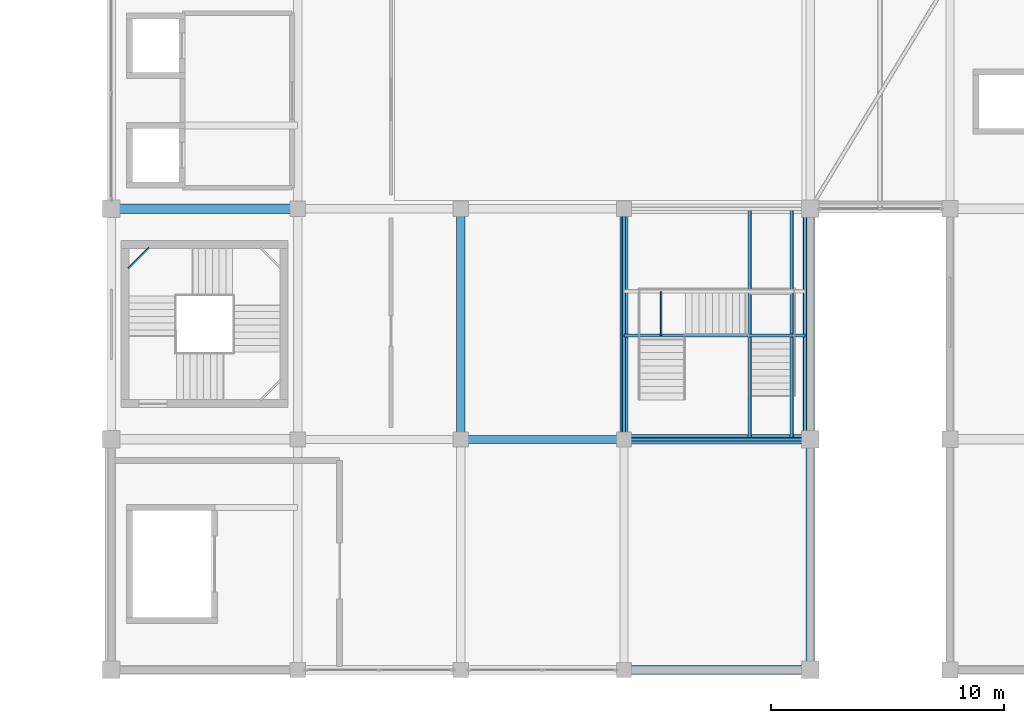
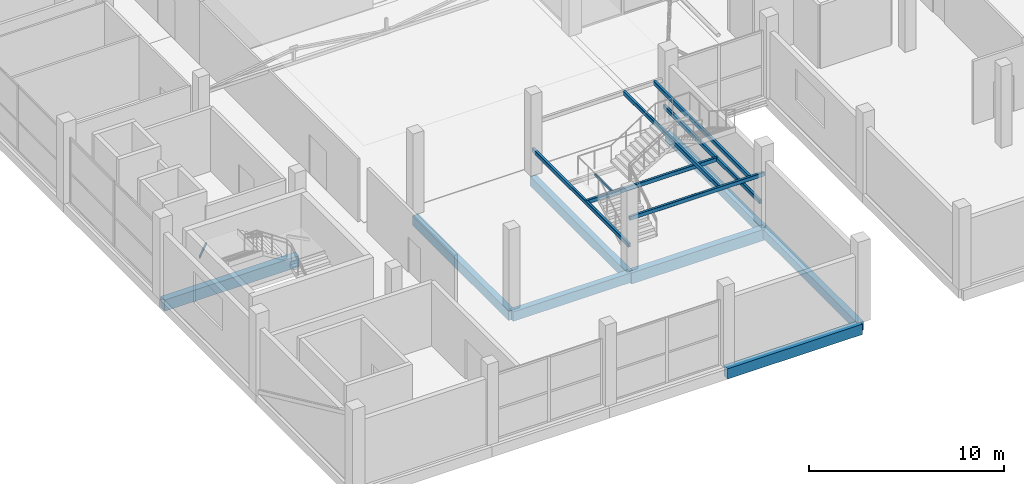
# One storey, part 5 of 67: 16 beams.
"""IFC4 building model written with IfcOpenShell, lengths in metres."""

from ifc_helpers import new_model, si_unit, direction, frame, origin, origin_2d, place, context, subcontext, project, spatial, rectangle, hollow_rectangle, extrude, material, material_profile, profile_set, type_object, element, save


model = new_model("IFC4")

# Units and contexts
model_context = context("Model", 3, precision=1e-05, world=origin(), true_north=direction((0.0, 1.0)))
body_context = subcontext(model_context, "Body", "Model", "MODEL_VIEW")
ifc_project = project(units=[si_unit("LENGTHUNIT", "METRE"), si_unit("AREAUNIT", "SQUARE_METRE"), si_unit("VOLUMEUNIT", "CUBIC_METRE"), si_unit("PLANEANGLEUNIT", "RADIAN"), si_unit("MASSUNIT", "GRAM", prefix="KILO")], contexts=[model_context])

# Site, building, storey
site_placement = place(None, origin())
site = spatial("IfcSite", under=ifc_project, at=site_placement, CompositionType="ELEMENT")
building_placement = place(site_placement, origin())
building = spatial("IfcBuilding", under=site, at=building_placement, Name="Sillaruma Civic Art Gallery", CompositionType="ELEMENT")
storey_placement = place(building_placement, frame((0.0, 0.0, 46.919921875)))
storey = spatial("IfcBuildingStorey", under=building, at=storey_placement, Name="L09", CompositionType="ELEMENT", Elevation=46.919921875)

# Beams
ifc_material_1 = material(Name="Concrete H35 (35 MPa)", Category="concrete")
ifc_material_profile_1 = material_profile(ifc_material_1, rectangle(XDim=0.35009765625, YDim=0.60009765625, at=origin_2d()), Name="RCB350x600")
ifc_profile_set_1 = profile_set([ifc_material_profile_1], Name="Concrete H35 (35 MPa)")
beam_type_1 = type_object("IfcBeamType", Name="BM-BEAM-RCB350x600", PredefinedType="BEAM", material=ifc_profile_set_1)
beam_1_placement = place(storey_placement, frame((77.0, 29.699951171875, -0.5498046875), z_axis=(1.0, 0.0, 0.0), x_axis=(0.0, 1.0, 0.0)))
element("IfcBeam", 1, at=beam_1_placement, inside=storey, type_object=beam_type_1, Name="Beam BM-06 (L08:4:H-J)", PredefinedType="BEAM", context=body_context, shape_type="SweptSolid", body=[
    extrude(rectangle(XDim=0.35009765625, YDim=0.60009765625, at=origin_2d()), origin(), (0.0, 0.0, 1.0), 7.0),
])
for number, where, z_axis, x_axis, name in (
    (2, (77.0, 29.699951171875, -0.5498046875), (0.0, 1.0, 0.0), (-1.0, 0.0, 0.0), "Beam BM-06 (L08:H:4-5)"),
    (3, (84.0, 29.699951171875, -0.5498046875), (0.0, 1.0, 0.0), (-1.0, 0.0, 0.0), "Beam BM-06 (L08:J:4-5)"),
):
    element("IfcBeam", number, at=place(storey_placement, frame(where, z_axis=z_axis, x_axis=x_axis)), inside=storey, type_object=beam_type_1, Name=name, PredefinedType="BEAM", context=body_context, shape_type="SweptSolid", body=[
        extrude(rectangle(XDim=0.35009765625, YDim=0.60009765625, at=origin_2d()), origin(), (0.0, 0.0, 1.0), 9.900146484375),
    ])
ifc_material_profile_2 = material_profile(ifc_material_1, rectangle(XDim=0.39990234375, YDim=0.699951171875, at=origin_2d()), Name="RCB400x700")
ifc_profile_set_2 = profile_set([ifc_material_profile_2], Name="Concrete H35 (35 MPa)")
beam_type_2 = type_object("IfcBeamType", Name="BM-BEAM-RCB400x700", PredefinedType="BEAM", material=ifc_profile_set_2)
for number, where, z_axis, x_axis, name in (
    (4, (84.0, 29.699951171875, -0.599853515625), (1.0, 0.0, 0.0), (0.0, 1.0, 0.0), "Beam BM-04 (L08:4:J-K)"),
    (5, (62.0, 39.60009765625, -0.599853515625), (1.0, 0.0, 0.0), (0.0, 1.0, 0.0), "Beam BM-04 (L08:5:F-G)"),
):
    element("IfcBeam", number, at=place(storey_placement, frame(where, z_axis=z_axis, x_axis=x_axis)), inside=storey, type_object=beam_type_2, Name=name, PredefinedType="BEAM", context=body_context, shape_type="SweptSolid", body=[
        extrude(rectangle(XDim=0.39990234375, YDim=0.699951171875, at=origin_2d()), origin(), (0.0, 0.0, 1.0), 8.0),
    ])
ifc_material_2 = material(Name="Structural Steel ASTM A500 Gr.C", Category="steel")
ifc_material_profile_3 = material_profile(ifc_material_2, hollow_rectangle(XDim=0.080078125, YDim=0.159912109375, WallThickness=0.008056640625, InnerFilletRadius=0.008056640625, OuterFilletRadius=0.01611328125, at=origin_2d()), Name="HSS160x80x8")
ifc_profile_set_3 = profile_set([ifc_material_profile_3], Name="Structural Steel ASTM A500 Gr.C")
beam_type_3 = type_object("IfcBeamType", Name="BM-FS-HSS160", PredefinedType="BEAM", material=ifc_profile_set_3)
beam_2_placement = place(storey_placement, frame((85.60009765625, 34.159912109375, 1.43505859375), z_axis=(0.0, 1.0, 0.0), x_axis=(-1.0, 0.0, 0.0)))
element("IfcBeam", 6, at=beam_2_placement, inside=storey, type_object=beam_type_3, Name="Feature Stair L1 Spreader (ST-G06)", PredefinedType="BEAM", context=body_context, shape_type="SweptSolid", body=[
    extrude(hollow_rectangle(XDim=0.080078125, YDim=0.159912109375, WallThickness=0.008056640625, InnerFilletRadius=0.008056640625, OuterFilletRadius=0.01611328125, at=origin_2d()), origin(), (0.0, 0.0, 1.0), 1.89013671875),
])
ifc_material_profile_4 = material_profile(ifc_material_2, hollow_rectangle(XDim=0.080078125, YDim=0.159912109375, WallThickness=0.008056640625, InnerFilletRadius=0.008056640625, OuterFilletRadius=0.01611328125, at=origin_2d()), Name="HSS160x80x8")
ifc_profile_set_4 = profile_set([ifc_material_profile_4], Name="Structural Steel ASTM A500 Gr.C")
beam_type_4 = type_object("IfcBeamType", Name="BM-LND-HSS160", PredefinedType="BEAM", material=ifc_profile_set_4)
beam_3_placement = place(storey_placement, frame((62.719970703125, 37.0400390625, 3.630126953125), z_axis=(0.707203758046, 0.707009791025, 0.0), x_axis=(-0.707009791025, 0.707203758046, 0.0)))
element("IfcBeam", 7, at=beam_3_placement, inside=storey, type_object=beam_type_4, Name="Stair Corner Landing Trimmer Beam (ST-03-L09-3)", PredefinedType="BEAM", context=body_context, shape_type="SweptSolid", body=[
    extrude(hollow_rectangle(XDim=0.080078125, YDim=0.159912109375, WallThickness=0.008056640625, InnerFilletRadius=0.008056640625, OuterFilletRadius=0.01611328125, at=origin_2d()), origin(), (0.0, 0.0, 1.0), 1.2587890625),
])
ifc_material_profile_5 = material_profile(ifc_material_2, hollow_rectangle(XDim=0.14990234375, YDim=0.25, WallThickness=0.010009765625, InnerFilletRadius=0.010009765625, OuterFilletRadius=0.02001953125, at=origin_2d()), Name="HSS250x150x10")
ifc_profile_set_5 = profile_set([ifc_material_profile_5], Name="Structural Steel ASTM A500 Gr.C")
beam_type_5 = type_object("IfcBeamType", Name="BM-LND-HSS200", PredefinedType="BEAM", material=ifc_profile_set_5)
for number, where, z_axis, x_axis, name in (
    (8, (84.0, 29.699951171875, 1.39013671875), (0.0, 1.0, 0.0), (-1.0, 0.0, 0.0), "Feature Stair L1 Rail (ST-G06-W)"),
    (9, (91.77490234375, 29.699951171875, 1.39013671875), (0.0, 1.0, 0.0), (-1.0, 0.0, 0.0), "Feature Stair L1 Rail (ST-G06-E)"),
):
    element("IfcBeam", number, at=place(storey_placement, frame(where, z_axis=z_axis, x_axis=x_axis)), inside=storey, type_object=beam_type_5, Name=name, PredefinedType="BEAM", context=body_context, shape_type="SweptSolid", body=[
        extrude(hollow_rectangle(XDim=0.14990234375, YDim=0.25, WallThickness=0.010009765625, InnerFilletRadius=0.010009765625, OuterFilletRadius=0.02001953125, at=origin_2d()), origin(), (0.0, 0.0, 1.0), 9.900146484375),
    ])
beam_4_placement = place(storey_placement, frame((84.0, 34.159912109375, 1.39013671875), z_axis=(1.0, 0.0, 0.0), x_axis=(0.0, 1.0, 0.0)))
element("IfcBeam", 10, at=beam_4_placement, inside=storey, type_object=beam_type_5, Name="Feature Stair L1 Girder (ST-G06-1)", PredefinedType="BEAM", context=body_context, shape_type="SweptSolid", body=[
    extrude(hollow_rectangle(XDim=0.14990234375, YDim=0.25, WallThickness=0.010009765625, InnerFilletRadius=0.010009765625, OuterFilletRadius=0.02001953125, at=origin_2d()), origin(), (0.0, 0.0, 1.0), 7.77490234375),
])
beam_5_placement = place(storey_placement, frame((84.0, 29.699951171875, 3.090087890625), z_axis=(1.0, 0.0, 0.0), x_axis=(0.0, 1.0, 0.0)))
element("IfcBeam", 11, at=beam_5_placement, inside=storey, type_object=beam_type_5, Name="Feature Stair L2 Rail (ST-G06-S)", PredefinedType="BEAM", context=body_context, shape_type="SweptSolid", body=[
    extrude(hollow_rectangle(XDim=0.14990234375, YDim=0.25, WallThickness=0.010009765625, InnerFilletRadius=0.010009765625, OuterFilletRadius=0.02001953125, at=origin_2d()), origin(), (0.0, 0.0, 1.0), 8.0),
])
for number, where, z_axis, x_axis, name in (
    (12, (89.39990234375, 29.699951171875, 3.090087890625), (0.0, 1.0, 0.0), (-1.0, 0.0, 0.0), "Feature Stair L2 Girder (ST-G06-1)"),
    (13, (91.199951171875, 29.699951171875, 3.090087890625), (0.0, 1.0, 0.0), (-1.0, 0.0, 0.0), "Feature Stair L2 Girder (ST-G06-2)"),
):
    element("IfcBeam", number, at=place(storey_placement, frame(where, z_axis=z_axis, x_axis=x_axis)), inside=storey, type_object=beam_type_5, Name=name, PredefinedType="BEAM", context=body_context, shape_type="SweptSolid", body=[
        extrude(hollow_rectangle(XDim=0.14990234375, YDim=0.25, WallThickness=0.010009765625, InnerFilletRadius=0.010009765625, OuterFilletRadius=0.02001953125, at=origin_2d()), origin(), (0.0, 0.0, 1.0), 9.900146484375),
    ])
ifc_material_profile_6 = material_profile(ifc_material_1, rectangle(XDim=0.35009765625, YDim=0.550048828125, at=origin_2d()), Name="RCB350x550")
ifc_profile_set_6 = profile_set([ifc_material_profile_6], Name="Concrete H35 (35 MPa)")
beam_type_6 = type_object("IfcBeamType", Name="BM-SPANDREL-RCB350x550", PredefinedType="SPANDREL", material=ifc_profile_set_6)
beam_6_placement = place(storey_placement, frame((92.0, 19.800048828125, -0.52490234375), z_axis=(0.0, 1.0, 0.0), x_axis=(-1.0, 0.0, 0.0)))
element("IfcBeam", 14, at=beam_6_placement, inside=storey, type_object=beam_type_6, Name="Beam BS-04 (L08:K:3-4)", PredefinedType="SPANDREL", context=body_context, shape_type="SweptSolid", body=[
    extrude(rectangle(XDim=0.35009765625, YDim=0.550048828125, at=origin_2d()), origin(), (0.0, 0.0, 1.0), 9.89990234375),
])
beam_7_placement = place(storey_placement, frame((92.0, 29.699951171875, -0.52490234375), z_axis=(0.0, 1.0, 0.0), x_axis=(-1.0, 0.0, 0.0)))
element("IfcBeam", 15, at=beam_7_placement, inside=storey, type_object=beam_type_6, Name="Beam BS-04 (L08:K:4-5)", PredefinedType="SPANDREL", context=body_context, shape_type="SweptSolid", body=[
    extrude(rectangle(XDim=0.35009765625, YDim=0.550048828125, at=origin_2d()), origin(), (0.0, 0.0, 1.0), 9.900146484375),
])
ifc_material_profile_7 = material_profile(ifc_material_1, rectangle(XDim=0.39990234375, YDim=0.64990234375, at=origin_2d()), Name="RCB400x650")
ifc_profile_set_7 = profile_set([ifc_material_profile_7], Name="Concrete H35 (35 MPa)")
beam_type_7 = type_object("IfcBeamType", Name="BM-SPANDREL-RCB400x650", PredefinedType="SPANDREL", material=ifc_profile_set_7)
beam_8_placement = place(storey_placement, frame((84.0, 19.800048828125, -0.574951171875), z_axis=(1.0, 0.0, 0.0), x_axis=(0.0, 1.0, 0.0)))
element("IfcBeam", 16, at=beam_8_placement, inside=storey, type_object=beam_type_7, Name="Beam BS-02 (L08:3:J-K)", PredefinedType="SPANDREL", context=body_context, shape_type="SweptSolid", body=[
    extrude(rectangle(XDim=0.39990234375, YDim=0.64990234375, at=origin_2d()), origin(), (0.0, 0.0, 1.0), 8.0),
])

save(model, "model.ifc")
